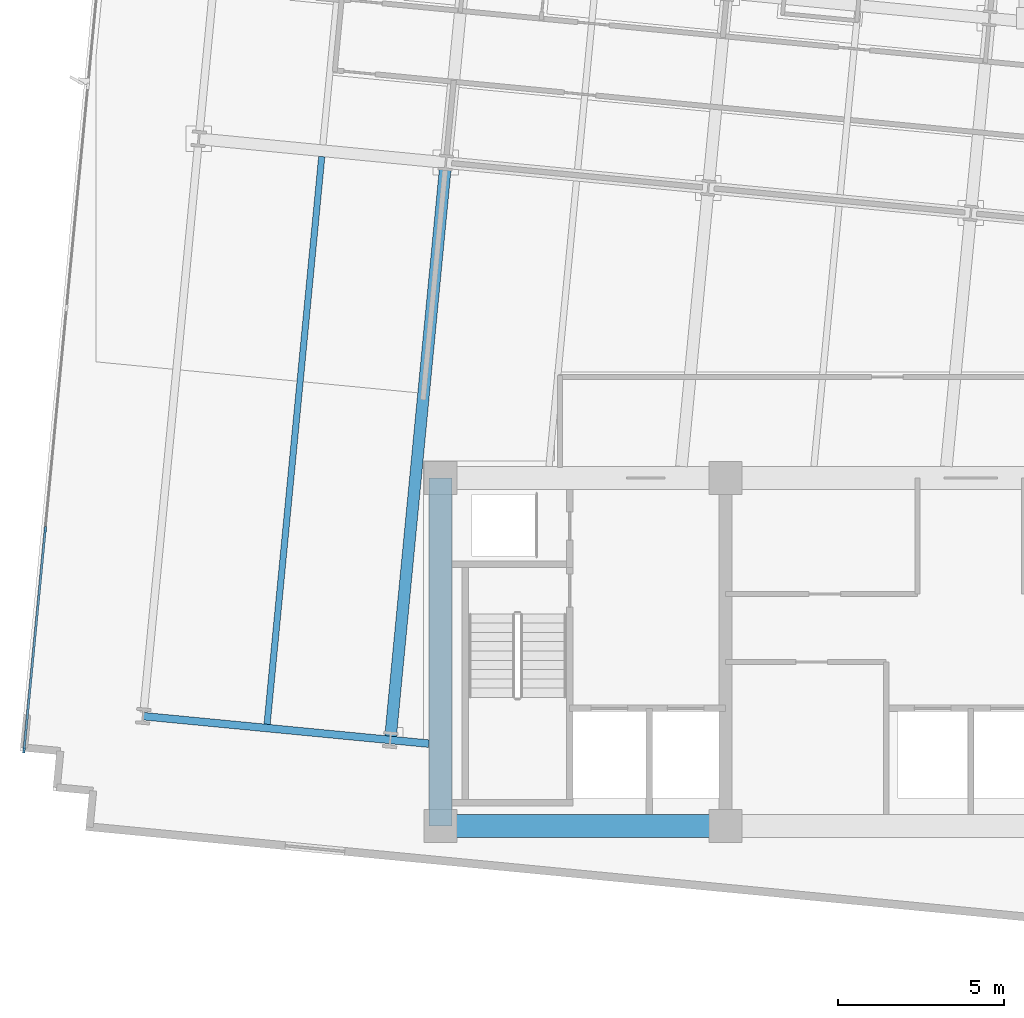
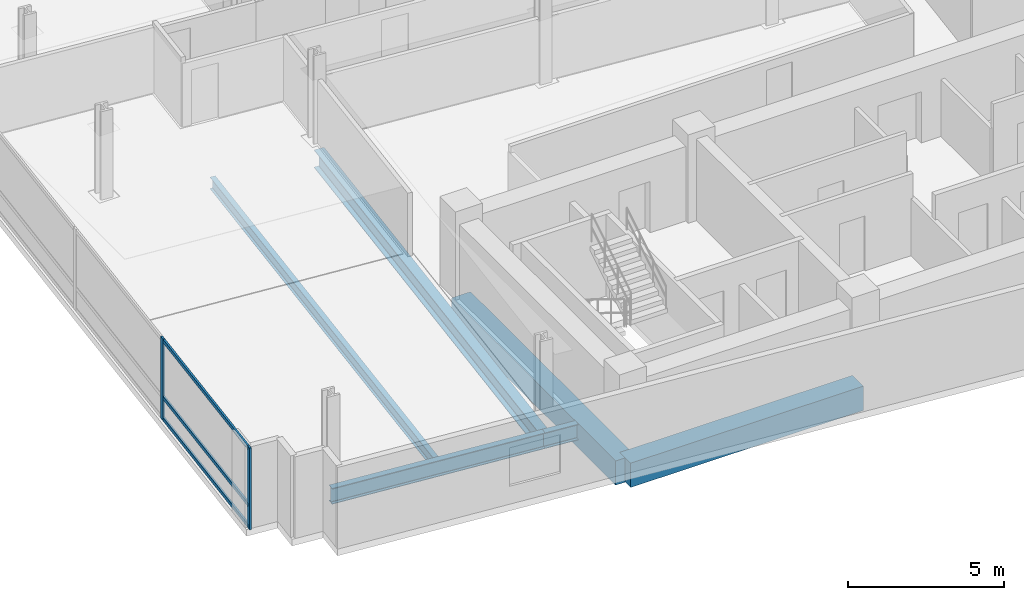
# One storey, part 2 of 17: 6 beams, 5 members, 1 element without a shape of its own.
"""IFC4 building model written with IfcOpenShell, lengths in metres."""

import ifcopenshell
import ifcopenshell.guid

model = None  # the IFC model being written
_history = None  # IfcOwnerHistory: only IFC2X3 demands one
_inside = {}  # id of a spatial element -> (the spatial element, [elements in it])
_under = {}  # id of a project, library or spatial element -> (it, [spatial elements below it])
_declared = {}  # id of a project -> (the project, [libraries it declares])
_typed = {}  # id of a type object -> (the type object, [elements of that type])
_made_of = {}  # id of a material, layer set ... -> (it, [elements and type objects made of it])


def new_model(schema):
    """Start an empty IFC model of exactly this schema.

    Asked for "IFC4X3", IfcOpenShell would pick the latest addendum, in which some entities
    have other attributes; the version numbers below select the first issue.
    IFC2X3 requires an IfcOwnerHistory on every rooted entity: one is made here for all.
    """
    global model, _history
    if schema == "IFC4X3":
        model = ifcopenshell.file(schema_version=(4, 3, 0, 0))
    else:
        model = ifcopenshell.file(schema=schema)
    _inside.clear()
    _under.clear()
    _declared.clear()
    _typed.clear()
    _made_of.clear()
    _history = None
    if model.schema == "IFC2X3":
        org = make("IfcOrganization", Name="unknown")
        user = make(
            "IfcPersonAndOrganization",
            ThePerson=make("IfcPerson", FamilyName="unknown"),
            TheOrganization=org,
        )
        app = make(
            "IfcApplication",
            ApplicationDeveloper=org,
            Version="unknown",
            ApplicationFullName="unknown",
            ApplicationIdentifier="unknown",
        )
        _history = make(
            "IfcOwnerHistory",
            OwningUser=user,
            OwningApplication=app,
            ChangeAction="ADDED",
            CreationDate=0,
        )
    return model


def make(cls, **values):
    """One entity of the class cls with the attributes given. An attribute that is None is left unset."""
    return model.create_entity(
        cls, **{name: value for name, value in values.items() if value is not None}
    )


def rooted(cls, **values):
    """An entity with a GlobalId (a new one), such as an element, a storey or a relation."""
    return make(cls, GlobalId=ifcopenshell.guid.new(), OwnerHistory=_history, **values)


def si_unit(unit_type, name, prefix=None):
    """IfcSIUnit, for example si_unit("LENGTHUNIT", "METRE", prefix="MILLI")."""
    return make("IfcSIUnit", UnitType=unit_type, Prefix=prefix, Name=name)


def assignment(units):
    """IfcUnitAssignment: the units of a project."""
    return None if units is None else make("IfcUnitAssignment", Units=units)


def point(xyz):
    """IfcCartesianPoint."""
    return None if xyz is None else make("IfcCartesianPoint", Coordinates=xyz)


def direction(xyz):
    """IfcDirection."""
    return None if xyz is None else make("IfcDirection", DirectionRatios=xyz)


def frame(location, z_axis=None, x_axis=None):
    """IfcAxis2Placement3D, a coordinate frame: its origin and axes. An axis left out is left unset."""
    return make(
        "IfcAxis2Placement3D",
        Location=point(location),
        Axis=direction(z_axis),
        RefDirection=direction(x_axis),
    )


def frame_2d(location, x_axis=None):
    """IfcAxis2Placement2D, a coordinate frame in the plane: its origin and x axis."""
    return make(
        "IfcAxis2Placement2D", Location=point(location), RefDirection=direction(x_axis)
    )


def origin():
    """The frame at (0, 0, 0) with its axes left unset."""
    return frame((0.0, 0.0, 0.0))


def origin_2d():
    """The frame at (0, 0) in the plane with its x axis left unset."""
    return frame_2d((0.0, 0.0))


def place(relative_to, where):
    """IfcLocalPlacement: puts the frame where relative to a parent placement (None: the world)."""
    return make(
        "IfcLocalPlacement", PlacementRelTo=relative_to, RelativePlacement=where
    )


def context(
    kind, dimensions, precision=None, world=None, true_north=None, identifier=None
):
    """IfcGeometricRepresentationContext, for example the 3D "Model" context."""
    return make(
        "IfcGeometricRepresentationContext",
        ContextIdentifier=identifier,
        ContextType=kind,
        CoordinateSpaceDimension=dimensions,
        Precision=precision,
        WorldCoordinateSystem=world,
        TrueNorth=true_north,
    )


def subcontext(parent, identifier, kind, view, scale=None):
    """IfcGeometricRepresentationSubContext, for example "Body" below "Model"."""
    return make(
        "IfcGeometricRepresentationSubContext",
        ContextIdentifier=identifier,
        ContextType=kind,
        ParentContext=parent,
        TargetScale=scale,
        TargetView=view,
    )


def project(units=None, contexts=None):
    """IfcProject with its units and contexts."""
    return rooted(
        "IfcProject",
        Name="project",
        RepresentationContexts=contexts,
        UnitsInContext=assignment(units),
    )


def spatial(cls, under=None, at=None, **own):
    """A site, building, storey or space (cls), placed at a placement, below another one or the project."""
    s = rooted(cls, ObjectPlacement=at, **own)
    if under is not None:
        _under.setdefault(under.id(), (under, []))[1].append(s)
    return s


def profile(cls, at=None, kind="AREA", **sizes):
    """A parametric profile (cls). Its sizes go by their IFC names, for example OverallWidth=200.0."""
    return make(cls, ProfileType=kind, Position=at, **sizes)


def rectangle(**sizes):
    """IfcRectangleProfileDef."""
    return profile("IfcRectangleProfileDef", **sizes)


def i_section(**sizes):
    """IfcIShapeProfileDef."""
    return profile("IfcIShapeProfileDef", **sizes)


def extrude(swept, where, along, depth):
    """IfcExtrudedAreaSolid: the profile swept, set in the frame where, extruded along a direction by depth."""
    return make(
        "IfcExtrudedAreaSolid",
        SweptArea=swept,
        Position=where,
        ExtrudedDirection=direction(along),
        Depth=depth,
    )


def shape(context_of_items, identifier, shape_type, items):
    """IfcShapeRepresentation: the items that make up one representation, for example the "Body"."""
    return make(
        "IfcShapeRepresentation",
        ContextOfItems=context_of_items,
        RepresentationIdentifier=identifier,
        RepresentationType=shape_type,
        Items=items,
    )


def material(Name=None, Category=None):
    """IfcMaterial."""
    return make("IfcMaterial", Name=Name, Category=Category)


def material_profile(
    of_material, cross_section, Name=None, Category=None, Priority=None
):
    """IfcMaterialProfile: a cross section and its material."""
    return make(
        "IfcMaterialProfile",
        Name=Name,
        Material=of_material,
        Profile=cross_section,
        Priority=Priority,
        Category=Category,
    )


def profile_set(profiles, Name=None, composite=None):
    """IfcMaterialProfileSet."""
    return make(
        "IfcMaterialProfileSet",
        Name=Name,
        MaterialProfiles=profiles,
        CompositeProfile=composite,
    )


def made_of(thing, what):
    """Note that an element or type object is made of a material, layer set ...; save() writes the relation."""
    if what is not None:
        _made_of.setdefault(what.id(), (what, []))[1].append(thing)
    return thing


def type_object(cls, material=None, **own):
    """A type object (cls), such as IfcWallType, which elements share."""
    return made_of(rooted(cls, **own), material)


def element(
    cls,
    number,
    at=None,
    inside=None,
    cuts=None,
    type_object=None,
    material=None,
    context=None,
    identifier="Body",
    shape_type=None,
    held_by="IfcProductDefinitionShape",
    body=None,
    shapes=None,
    **own,
):
    """One element of the class cls, such as IfcWall. Its Tag is "e" and its number.

    at: its placement. inside: the storey or other place that contains it. cuts: it is an
    opening in that element (IfcRelVoidsElement). A single representation is given by context,
    identifier, shape_type and body (its items); several are given by shapes. held_by: the class
    of the entity that holds the representations. save() writes the other relations.
    """
    e = rooted(cls, Tag="e%d" % number, ObjectPlacement=at, **own)
    if body is not None:
        shapes = [shape(context, identifier, shape_type, body)]
    if shapes is not None:
        e.Representation = make(held_by, Representations=shapes)
    if inside is not None:
        _inside.setdefault(inside.id(), (inside, []))[1].append(e)
    if cuts is not None:
        rooted(
            "IfcRelVoidsElement", RelatingBuildingElement=cuts, RelatedOpeningElement=e
        )
    if type_object is not None:
        _typed.setdefault(type_object.id(), (type_object, []))[1].append(e)
    return made_of(e, material)


def aggregate(whole, parts):
    """IfcRelAggregates: a whole, such as a stair, and the parts it consists of."""
    return rooted("IfcRelAggregates", RelatingObject=whole, RelatedObjects=parts)


def save(model, path):
    """Write the relations noted so far, then the file.

    IfcRelAggregates (storeys below a building ...), IfcRelContainedInSpatialStructure (elements
    in a storey), IfcRelDefinesByType, IfcRelAssociatesMaterial and IfcRelDeclares: one each for
    every whole, place, type object, material and project.
    """
    for whole, parts in _under.values():
        aggregate(whole, parts)
    for where, things in _inside.values():
        rooted(
            "IfcRelContainedInSpatialStructure",
            RelatedElements=things,
            RelatingStructure=where,
        )
    for kind, things in _typed.values():
        rooted("IfcRelDefinesByType", RelatedObjects=things, RelatingType=kind)
    for what, things in _made_of.values():
        rooted("IfcRelAssociatesMaterial", RelatedObjects=things, RelatingMaterial=what)
    for by, libraries in _declared.values():
        rooted("IfcRelDeclares", RelatingContext=by, RelatedDefinitions=libraries)
    model.write(path)


model = new_model("IFC4")

# Units and contexts
model_context = context("Model", 3, precision=1e-05, world=origin(), true_north=direction((0.0, 1.0)))
body_context = subcontext(model_context, "Body", "Model", "MODEL_VIEW")
ifc_project = project(units=[si_unit("LENGTHUNIT", "METRE"), si_unit("AREAUNIT", "SQUARE_METRE"), si_unit("VOLUMEUNIT", "CUBIC_METRE"), si_unit("PLANEANGLEUNIT", "RADIAN"), si_unit("MASSUNIT", "GRAM", prefix="KILO")], contexts=[model_context])

# Site, building, storey
site_placement = place(None, origin())
site = spatial("IfcSite", under=ifc_project, at=site_placement, CompositionType="ELEMENT")
building_placement = place(site_placement, origin())
building = spatial("IfcBuilding", under=site, at=building_placement, Name="Solmavex Isthmus Hotel", CompositionType="ELEMENT")
storey_placement = place(building_placement, frame((0.0, 0.0, 142.800048828125)))
storey = spatial("IfcBuildingStorey", under=building, at=storey_placement, Name="L38", CompositionType="ELEMENT", Elevation=142.800048828125)

# Beams
ifc_material_1 = material(Name="Steel ASTM A992 Grade 50", Category="steel")
ifc_material_profile_1 = material_profile(ifc_material_1, i_section(OverallWidth=0.354736328125, OverallDepth=0.695556640625, WebThickness=0.015380859375, FlangeThickness=0.02490234375, FilletRadius=0.017822265625, at=origin_2d()), Name="W27X146")
ifc_profile_set_1 = profile_set([ifc_material_profile_1], Name="Steel ASTM A992 Grade 50")
beam_type_1 = type_object("IfcBeamType", Name="BM-BG-W27X146", PredefinedType="BEAM", material=ifc_profile_set_1)
beam_1_placement = place(storey_placement, frame((-17.503662109375, -10.289306640625, -0.60791015625), z_axis=(0.095840821687, 0.99539667314, 0.0), x_axis=(-0.99539667314, 0.095840821687, 0.0)))
element("IfcBeam", 1, at=beam_1_placement, inside=storey, type_object=beam_type_1, Name="Floor Beam L38-VG24", PredefinedType="BEAM", context=body_context, shape_type="SweptSolid", body=[
    extrude(i_section(OverallWidth=0.354736328125, OverallDepth=0.695556640625, WebThickness=0.015380859375, FlangeThickness=0.02490234375, FilletRadius=0.017822265625, at=origin_2d()), origin(), (0.0, 0.0, 1.0), 17.207275390625),
])
ifc_material_profile_2 = material_profile(ifc_material_1, i_section(OverallWidth=0.1904296875, OverallDepth=0.456787109375, WebThickness=0.009033203125, FlangeThickness=0.014404296875, FilletRadius=0.0126953125, at=origin_2d()), Name="W18X50")
ifc_profile_set_2 = profile_set([ifc_material_profile_2], Name="Steel ASTM A992 Grade 50")
beam_type_2 = type_object("IfcBeamType", Name="BM-BJ-W18X50", PredefinedType="JOIST", material=ifc_profile_set_2)
beam_2_placement = place(storey_placement, frame((-21.23046875, -9.930419921875, -0.488525390625), z_axis=(0.095840821687, 0.99539667314, 0.0), x_axis=(-0.99539667314, 0.095840821687, 0.0)))
element("IfcBeam", 2, at=beam_2_placement, inside=storey, type_object=beam_type_2, Name="Secondary Floor Joist L38-J01", PredefinedType="JOIST", context=body_context, shape_type="SweptSolid", body=[
    extrude(i_section(OverallWidth=0.1904296875, OverallDepth=0.456787109375, WebThickness=0.009033203125, FlangeThickness=0.014404296875, FilletRadius=0.0126953125, at=origin_2d()), origin(), (0.0, 0.0, 1.0), 17.207275390625),
])
ifc_material_2 = material(Name="Concrete C60/75", Category="concrete")
ifc_material_profile_3 = material_profile(ifc_material_2, rectangle(XDim=0.699951171875, YDim=0.949951171875, at=origin_2d()), Name="RC700X950")
ifc_profile_set_3 = profile_set([ifc_material_profile_3], Name="Concrete C60/75")
beam_type_3 = type_object("IfcBeamType", Name="BM-CB-700X950", PredefinedType="BEAM", material=ifc_profile_set_3)
beam_3_placement = place(storey_placement, frame((-16.0, -13.0, -0.735107421875), z_axis=(1.0, 0.0, 0.0), x_axis=(0.0, 1.0, 0.0)))
element("IfcBeam", 3, at=beam_3_placement, inside=storey, type_object=beam_type_3, Name="Core Coupling Beam L38-CB1", PredefinedType="BEAM", context=body_context, shape_type="SweptSolid", body=[
    extrude(rectangle(XDim=0.699951171875, YDim=0.949951171875, at=origin_2d()), origin(), (0.0, 0.0, 1.0), 8.60009765625),
])
beam_4_placement = place(storey_placement, frame((-16.0, -13.0, -0.735107421875), z_axis=(0.0, 1.0, 0.0), x_axis=(-1.0, 0.0, 0.0)))
element("IfcBeam", 4, at=beam_4_placement, inside=storey, type_object=beam_type_3, Name="Core Coupling Beam L38-CB7", PredefinedType="BEAM", context=body_context, shape_type="SweptSolid", body=[
    extrude(rectangle(XDim=0.699951171875, YDim=0.949951171875, at=origin_2d()), origin(), (0.0, 0.0, 1.0), 10.5),
])
ifc_material_profile_4 = material_profile(ifc_material_1, i_section(OverallWidth=0.230224609375, OverallDepth=0.617431640625, WebThickness=0.01318359375, FlangeThickness=0.022216796875, FilletRadius=0.01513671875, at=origin_2d()), Name="W24X94")
ifc_profile_set_4 = profile_set([ifc_material_profile_4], Name="Steel ASTM A992 Grade 50")
beam_type_4 = type_object("IfcBeamType", Name="BM-SP-W24X94", PredefinedType="SPANDREL", material=ifc_profile_set_4)
beam_5_placement = place(storey_placement, frame((-24.96826171875, -9.686279296875, -0.56884765625), z_axis=(0.995395279593, -0.095855293875, 0.0), x_axis=(0.095855293875, 0.995395279593, 0.0)))
element("IfcBeam", 5, at=beam_5_placement, inside=storey, type_object=beam_type_4, Name="Floor Girder L38-UG01", PredefinedType="SPANDREL", context=body_context, shape_type="SweptSolid", body=[
    extrude(i_section(OverallWidth=0.230224609375, OverallDepth=0.617431640625, WebThickness=0.01318359375, FlangeThickness=0.022216796875, FilletRadius=0.01513671875, at=origin_2d()), origin(), (0.0, 0.0, 1.0), 7.488037109375),
])
beam_6_placement = place(storey_placement, frame((-17.5146484375, -10.404052734375, -0.56884765625), z_axis=(0.995402144456, -0.095783979938, 0.0), x_axis=(0.095783979938, 0.995402144456, 0.0)))
element("IfcBeam", 6, at=beam_6_placement, inside=storey, type_object=beam_type_4, Name="Floor Girder L38-UG02", PredefinedType="SPANDREL", context=body_context, shape_type="SweptSolid", body=[
    extrude(i_section(OverallWidth=0.230224609375, OverallDepth=0.617431640625, WebThickness=0.01318359375, FlangeThickness=0.022216796875, FilletRadius=0.01513671875, at=origin_2d()), origin(), (0.0, 0.0, 1.0), 1.169921875),
])

# Curtain wall, members
ifc_material_3 = material(Name="Aluminium alloy 6063-T6", Category="aluminium")
curtain_wall_type = type_object("IfcCurtainWallType", Name="CW-SYS-03", PredefinedType="NOTDEFINED", material=ifc_material_3)
curtain_wall_placement = place(storey_placement, origin())
curtain_wall = element("IfcCurtainWall", 7, at=curtain_wall_placement, inside=storey, type_object=curtain_wall_type, Name="Stick Curtain Wall CWL-L38-W1", PredefinedType="NOTDEFINED")
ifc_material_profile_5 = material_profile(ifc_material_3, rectangle(XDim=0.070068359375, YDim=0.179931640625, at=origin_2d()), Name="CWM-70X180")
ifc_profile_set_5 = profile_set([ifc_material_profile_5], Name="Aluminium alloy 6063-T6")
member_type_1 = type_object("IfcMemberType", Name="CW-SYS-03-MUL", PredefinedType="MULLION", material=ifc_profile_set_5)
member_1_placement = place(storey_placement, frame((-28.56298828125, -10.71142578125, 0.0), z_axis=(0.0, 0.0, 1.0), x_axis=(-0.995396190038, 0.09584583902, 0.0)))
member_1 = element("IfcMember", 8, at=member_1_placement, type_object=member_type_1, Name="CW-03 mullion 1", PredefinedType="MULLION", context=body_context, shape_type="SweptSolid", body=[
    extrude(rectangle(XDim=0.070068359375, YDim=0.179931640625, at=origin_2d()), origin(), (0.0, 0.0, 1.0), 3.18994140625),
])
member_2_placement = place(storey_placement, frame((-27.92236328125, -4.057373046875, 0.0), z_axis=(0.0, 0.0, 1.0), x_axis=(-0.995396190038, 0.09584583902, 0.0)))
member_2 = element("IfcMember", 9, at=member_2_placement, type_object=member_type_1, Name="CW-03 mullion 2", PredefinedType="MULLION", context=body_context, shape_type="SweptSolid", body=[
    extrude(rectangle(XDim=0.070068359375, YDim=0.179931640625, at=origin_2d()), origin(), (0.0, 0.0, 1.0), 3.18994140625),
])
ifc_material_profile_6 = material_profile(ifc_material_3, rectangle(XDim=0.070068359375, YDim=0.139892578125, at=origin_2d()), Name="CWT-70X140")
ifc_profile_set_6 = profile_set([ifc_material_profile_6], Name="Aluminium alloy 6063-T6")
member_type_2 = type_object("IfcMemberType", Name="CW-SYS-03-TRN", PredefinedType="USERDEFINED", material=ifc_profile_set_6)
member_3_placement = place(storey_placement, frame((-28.559814453125, -10.6767578125, 0.070068359375), z_axis=(0.095845316679, 0.995396240334, 0.0), x_axis=(-0.995396240334, 0.095845316679, 0.0)))
member_3 = element("IfcMember", 10, at=member_3_placement, type_object=member_type_2, Name="CW-03 transom 1.1", ObjectType="TRANSOM", PredefinedType="USERDEFINED", context=body_context, shape_type="SweptSolid", body=[
    extrude(rectangle(XDim=0.070068359375, YDim=0.139892578125, at=origin_2d()), origin(), (0.0, 0.0, 1.0), 6.615234375),
])
member_4_placement = place(storey_placement, frame((-28.559814453125, -10.6767578125, 0.89990234375), z_axis=(0.095845316679, 0.995396240334, 0.0), x_axis=(-0.995396240334, 0.095845316679, 0.0)))
member_4 = element("IfcMember", 11, at=member_4_placement, type_object=member_type_2, Name="CW-03 transom 1.2", ObjectType="TRANSOM", PredefinedType="USERDEFINED", context=body_context, shape_type="SweptSolid", body=[
    extrude(rectangle(XDim=0.070068359375, YDim=0.139892578125, at=origin_2d()), origin(), (0.0, 0.0, 1.0), 6.615234375),
])
member_5_placement = place(storey_placement, frame((-28.559814453125, -10.6767578125, 3.119873046875), z_axis=(0.095845316679, 0.995396240334, 0.0), x_axis=(-0.995396240334, 0.095845316679, 0.0)))
member_5 = element("IfcMember", 12, at=member_5_placement, type_object=member_type_2, Name="CW-03 transom 1.3", ObjectType="TRANSOM", PredefinedType="USERDEFINED", context=body_context, shape_type="SweptSolid", body=[
    extrude(rectangle(XDim=0.070068359375, YDim=0.139892578125, at=origin_2d()), origin(), (0.0, 0.0, 1.0), 6.615234375),
])
aggregate(curtain_wall, [member_1, member_2, member_3, member_4, member_5])

save(model, "model.ifc")
